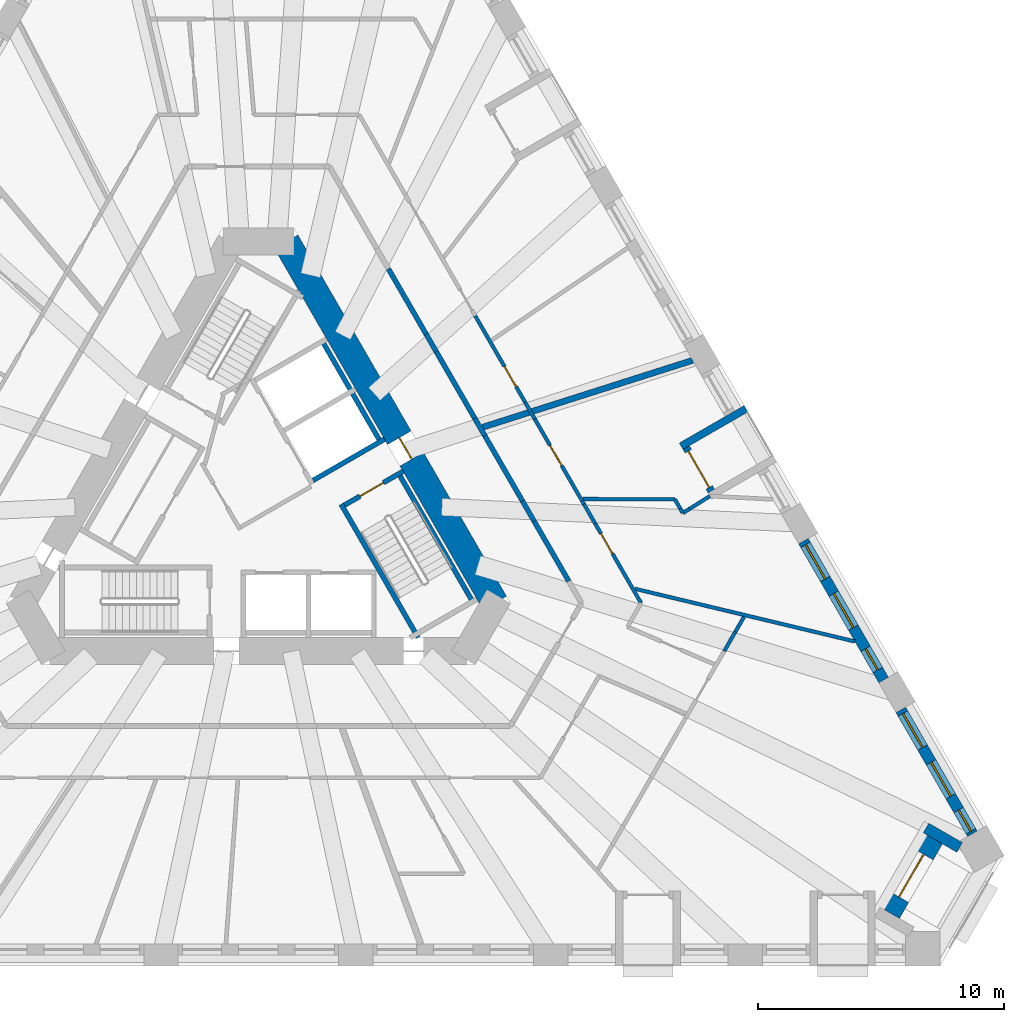
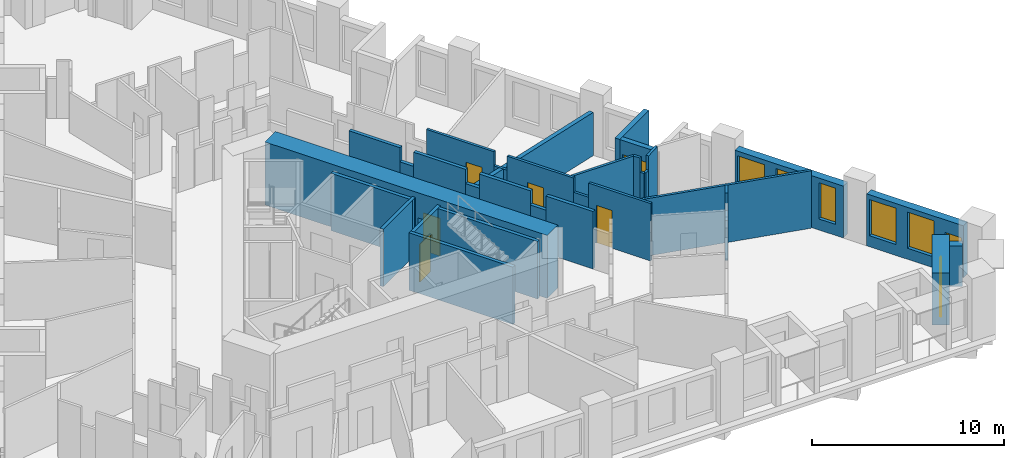
# One storey, part 7 of 14: 33 walls, 7 doors, 6 windows, 13 openings.
"""IFC4 building model written with IfcOpenShell, lengths in metres."""

from ifc_helpers import new_model, si_unit, direction, frame, frame_2d, origin, place, context, subcontext, project, spatial, rectangle, extrude, material, layer, layer_set, type_object, element, fill, save


model = new_model("IFC4")

# Units and contexts
model_context = context("Model", 3, precision=1e-05, world=origin(), true_north=direction((0.0, 1.0)))
body_context = subcontext(model_context, "Body", "Model", "MODEL_VIEW")
ifc_project = project(units=[si_unit("LENGTHUNIT", "METRE"), si_unit("AREAUNIT", "SQUARE_METRE"), si_unit("VOLUMEUNIT", "CUBIC_METRE"), si_unit("PLANEANGLEUNIT", "RADIAN"), si_unit("MASSUNIT", "GRAM", prefix="KILO")], contexts=[model_context])

# Site, building, storey
site_placement = place(None, origin())
site = spatial("IfcSite", under=ifc_project, at=site_placement, CompositionType="ELEMENT")
building_placement = place(site_placement, origin())
building = spatial("IfcBuilding", under=site, at=building_placement, Name="Tramontana Tower", CompositionType="ELEMENT")
storey_placement = place(building_placement, frame((0.0, 0.0, 42.0)))
storey = spatial("IfcBuildingStorey", under=building, at=storey_placement, Name="L08", CompositionType="ELEMENT", Elevation=42.0)

# Wall, opening, door
ifc_material_1 = material(Name="Concrete 70 MPa", Category="concrete")
ifc_layer_1 = layer(ifc_material_1, 1.10009765625)
ifc_layer_set_1 = layer_set([ifc_layer_1], Name="Core wall 1100 70 MPa")
wall_type_1 = type_object("IfcWallType", Name="Core wall 1100 70 MPa", PredefinedType="SHEAR", material=ifc_layer_set_1)
wall_1_placement = place(storey_placement, frame((9.61279296875, -4.25, 0.0), z_axis=(0.0, 0.0, 1.0), x_axis=(-0.500001757713, 0.866024388966, 0.0)))
wall_1 = element("IfcWall", 1, at=wall_1_placement, inside=storey, type_object=wall_type_1, Name="Core wall C5 L08", PredefinedType="SHEAR", context=body_context, shape_type="SweptSolid", body=[
    extrude(rectangle(XDim=16.97412109375, YDim=1.10009765625, at=frame_2d((8.487060546875, 0.0))), origin(), (0.0, 0.0, 1.0), 4.0),
])
opening_1_placement = place(wall_1_placement, frame((6.761962890625, 0.0, 0.0)))
opening_1 = element("IfcOpeningElement", 2, at=opening_1_placement, cuts=wall_1, Name="Opening RG3", PredefinedType="OPENING", context=body_context, shape_type="SweptSolid", body=[
    extrude(rectangle(XDim=1.0, YDim=2.39990234375, at=frame_2d((0.5, 1.199951171875))), frame((0.0, 0.56005859375, 0.0), z_axis=(0.0, -1.0, 0.0), x_axis=(1.0, 0.0, 0.0)), (0.0, 0.0, 1.0), 1.1201171875),
])
ifc_material_2 = material(Name="Painted steel", Category="steel")
door_type_1 = type_object("IfcDoorType", Name="RING DOOR 1000", OperationType="SINGLE_SWING_LEFT", PredefinedType="DOOR", material=ifc_material_2)
door_1_placement = place(opening_1_placement, origin())
door_1 = element("IfcDoor", 3, at=door_1_placement, inside=storey, type_object=door_type_1, Name="Door RG3", OperationType="SINGLE_SWING_RIGHT", OverallHeight=2.39990234375, OverallWidth=1.0, PredefinedType="DOOR", context=body_context, shape_type="SweptSolid", body=[
    extrude(rectangle(XDim=1.0, YDim=2.39990234375, at=frame_2d((0.5, 1.199951171875))), frame((0.0, 0.02490234375, 0.0), z_axis=(0.0, -1.0, 0.0), x_axis=(1.0, 0.0, 0.0)), (0.0, 0.0, 1.0), 0.050048828125),
])
fill(opening_1, door_1)

# Walls
ifc_material_3 = material(Name="Blockwork", Category="masonry")
ifc_layer_2 = layer(ifc_material_3, 0.199951171875)
ifc_layer_set_2 = layer_set([ifc_layer_2], Name="ENTRY WALL 200")
wall_type_2 = type_object("IfcWallType", Name="ENTRY WALL 200", PredefinedType="SOLIDWALL", material=ifc_layer_set_2)
wall_2_placement = place(storey_placement, frame((5.287109375, 9.3427734375, 0.0), z_axis=(0.0, 0.0, 1.0), x_axis=(0.499952348839, -0.866052913447, 0.0)))
element("IfcWall", 4, at=wall_2_placement, inside=storey, type_object=wall_type_2, Name="Wall v02-ew0-3", PredefinedType="SOLIDWALL", context=body_context, shape_type="SweptSolid", body=[
    extrude(rectangle(XDim=3.064208984375, YDim=0.199951171875, at=frame_2d((1.5322265625, 0.0))), origin(), (0.0, 0.0, 1.0), 3.64990234375),
])
wall_3_placement = place(storey_placement, frame((6.819091796875, 6.68896484375, 0.0), z_axis=(0.0, 0.0, 1.0), x_axis=(0.500118501653, -0.865956976012, 0.0)))
element("IfcWall", 5, at=wall_3_placement, inside=storey, type_object=wall_type_2, Name="Wall v02-ew0-4", PredefinedType="SOLIDWALL", context=body_context, shape_type="SweptSolid", body=[
    extrude(rectangle(XDim=0.818115234375, YDim=0.199951171875, at=frame_2d((0.4091796875, 0.0))), origin(), (0.0, 0.0, 1.0), 2.75),
])
wall_4_placement = place(storey_placement, frame((7.228271484375, 5.98046875, 0.0), z_axis=(0.0, 0.0, 1.0), x_axis=(0.499947505232, -0.866055709532, 0.0)))
element("IfcWall", 6, at=wall_4_placement, inside=storey, type_object=wall_type_2, Name="Wall v02-ew0-5", PredefinedType="SOLIDWALL", context=body_context, shape_type="SweptSolid", body=[
    extrude(rectangle(XDim=3.130126953125, YDim=0.199951171875, at=frame_2d((1.56494140625, 0.0))), origin(), (0.0, 0.0, 1.0), 3.64990234375),
])
wall_5_placement = place(storey_placement, frame((8.793212890625, 3.26953125, 0.0), z_axis=(0.0, 0.0, 1.0), x_axis=(0.500118501653, -0.865956976012, 0.0)))
element("IfcWall", 7, at=wall_5_placement, inside=storey, type_object=wall_type_2, Name="Wall v02-ew0-6", PredefinedType="SOLIDWALL", context=body_context, shape_type="SweptSolid", body=[
    extrude(rectangle(XDim=0.818115234375, YDim=0.199951171875, at=frame_2d((0.4091796875, 0.0))), origin(), (0.0, 0.0, 1.0), 2.75),
])
wall_6_placement = place(storey_placement, frame((9.202392578125, 2.56103515625, 0.0), z_axis=(0.0, 0.0, 1.0), x_axis=(0.499952348839, -0.866052913447, 0.0)))
element("IfcWall", 8, at=wall_6_placement, inside=storey, type_object=wall_type_2, Name="Wall v02-ew0-7", PredefinedType="SOLIDWALL", context=body_context, shape_type="SweptSolid", body=[
    extrude(rectangle(XDim=3.064208984375, YDim=0.199951171875, at=frame_2d((1.5322265625, 0.0))), origin(), (0.0, 0.0, 1.0), 3.64990234375),
])
wall_7_placement = place(storey_placement, frame((10.734375, -0.0927734375, 0.0), z_axis=(0.0, 0.0, 1.0), x_axis=(0.500174821557, -0.865924446982, 0.0)))
element("IfcWall", 9, at=wall_7_placement, inside=storey, type_object=wall_type_2, Name="Wall v02-ew0-8", PredefinedType="SOLIDWALL", context=body_context, shape_type="SweptSolid", body=[
    extrude(rectangle(XDim=0.949951171875, YDim=0.199951171875, at=frame_2d((0.47509765625, 0.0))), origin(), (0.0, 0.0, 1.0), 2.75),
])
wall_8_placement = place(storey_placement, frame((11.20947265625, -0.915283203125, 0.0), z_axis=(0.0, 0.0, 1.0), x_axis=(0.49993514545, -0.866062844338, 0.0)))
element("IfcWall", 10, at=wall_8_placement, inside=storey, type_object=wall_type_2, Name="Wall v02-ew0-9", PredefinedType="SOLIDWALL", context=body_context, shape_type="SweptSolid", body=[
    extrude(rectangle(XDim=2.815185546875, YDim=0.199951171875, at=frame_2d((1.40771484375, 0.0))), origin(), (0.0, 0.0, 1.0), 3.64990234375),
])

# Wall, openings, windows
ifc_material_4 = material(Name="Precast concrete 60 MPa", Category="concrete")
ifc_layer_3 = layer(ifc_material_4, 0.449951171875)
ifc_layer_set_3 = layer_set([ifc_layer_3], Name="Precast concrete 60 MPa, 450 mm")
wall_type_3 = type_object("IfcWallType", Name="EW1 Stone-faced precast wall 450", PredefinedType="SOLIDWALL", material=ifc_layer_set_3)
wall_9_placement = place(storey_placement, frame((29.0263671875, -13.625, 0.0), z_axis=(0.0, 0.0, 1.0), x_axis=(-0.500007002644, 0.866021360769, 0.0)))
wall_9 = element("IfcWall", 11, at=wall_9_placement, inside=storey, type_object=wall_type_3, Name="External wall L08 face 2 bay 1", PredefinedType="SOLIDWALL", context=body_context, shape_type="SweptSolid", body=[
    extrude(rectangle(XDim=5.81787109375, YDim=0.449951171875, at=frame_2d((2.908935546875, 0.0))), origin(), (0.0, 0.0, 1.0), 3.300048828125),
])
opening_2_placement = place(wall_9_placement, frame((0.11962890625, 0.0, 0.699951171875)))
opening_2 = element("IfcOpeningElement", 12, at=opening_2_placement, cuts=wall_9, Name="Opening N1L", PredefinedType="OPENING", context=body_context, shape_type="SweptSolid", body=[
    extrude(rectangle(XDim=1.0, YDim=1.800048828125, at=frame_2d((0.5, 0.89990234375))), frame((0.0, 0.23486328125, 0.0), z_axis=(0.0, -1.0, 0.0), x_axis=(1.0, 0.0, 0.0)), (0.0, 0.0, 1.0), 0.469970703125),
])
opening_3_placement = place(wall_9_placement, frame((1.759033203125, 0.0, 0.699951171875)))
opening_3 = element("IfcOpeningElement", 13, at=opening_3_placement, cuts=wall_9, Name="Opening M1", PredefinedType="OPENING", context=body_context, shape_type="SweptSolid", body=[
    extrude(rectangle(XDim=1.60009765625, YDim=2.300048828125, at=frame_2d((0.800048828125, 1.14990234375))), frame((0.0, 0.23486328125, 0.0), z_axis=(0.0, -1.0, 0.0), x_axis=(1.0, 0.0, 0.0)), (0.0, 0.0, 1.0), 0.469970703125),
])
opening_4_placement = place(wall_9_placement, frame((4.04833984375, 0.0, 0.699951171875)))
opening_4 = element("IfcOpeningElement", 14, at=opening_4_placement, cuts=wall_9, Name="Opening M1", PredefinedType="OPENING", context=body_context, shape_type="SweptSolid", body=[
    extrude(rectangle(XDim=1.60009765625, YDim=2.300048828125, at=frame_2d((0.800048828125, 1.14990234375))), frame((0.0, 0.23486328125, 0.0), z_axis=(0.0, -1.0, 0.0), x_axis=(1.0, 0.0, 0.0)), (0.0, 0.0, 1.0), 0.469970703125),
])
ifc_material_5 = material(Name="Aluminum frame, double glazing unit", Category="aluminium")
window_type_1 = type_object("IfcWindowType", Name="M1 Window 1.6 x 2.3", PartitioningType="SINGLE_PANEL", PredefinedType="WINDOW", material=ifc_material_5)
window_1_placement = place(opening_3_placement, origin())
window_1 = element("IfcWindow", 15, at=window_1_placement, inside=storey, type_object=window_type_1, Name="Window M1 L08 face 2 module 2", OverallHeight=2.300048828125, OverallWidth=1.60009765625, PartitioningType="SINGLE_PANEL", PredefinedType="WINDOW", context=body_context, shape_type="SweptSolid", body=[
    extrude(rectangle(XDim=1.60009765625, YDim=2.300048828125, at=frame_2d((0.800048828125, 1.14990234375))), frame((0.0, 0.030029296875, 0.0), z_axis=(0.0, -1.0, 0.0), x_axis=(1.0, 0.0, 0.0)), (0.0, 0.0, 1.0), 0.06005859375),
])
fill(opening_3, window_1)
window_2_placement = place(opening_4_placement, origin())
window_2 = element("IfcWindow", 16, at=window_2_placement, inside=storey, type_object=window_type_1, Name="Window M1 L08 face 2 module 3", OverallHeight=2.300048828125, OverallWidth=1.60009765625, PartitioningType="SINGLE_PANEL", PredefinedType="WINDOW", context=body_context, shape_type="SweptSolid", body=[
    extrude(rectangle(XDim=1.60009765625, YDim=2.300048828125, at=frame_2d((0.800048828125, 1.14990234375))), frame((0.0, 0.030029296875, 0.0), z_axis=(0.0, -1.0, 0.0), x_axis=(1.0, 0.0, 0.0)), (0.0, 0.0, 1.0), 0.06005859375),
])
fill(opening_4, window_2)
ifc_material_6 = material(Name="Aluminum frame, double glazing unit", Category="aluminium")
window_type_2 = type_object("IfcWindowType", Name="N1L Window 1 x 1.8", PartitioningType="SINGLE_PANEL", PredefinedType="WINDOW", material=ifc_material_6)
window_3_placement = place(opening_2_placement, origin())
window_3 = element("IfcWindow", 17, at=window_3_placement, inside=storey, type_object=window_type_2, Name="Window N1L L08 face 2 module 1", OverallHeight=1.800048828125, OverallWidth=1.0, PartitioningType="SINGLE_PANEL", PredefinedType="WINDOW", context=body_context, shape_type="SweptSolid", body=[
    extrude(rectangle(XDim=1.0, YDim=1.800048828125, at=frame_2d((0.5, 0.89990234375))), frame((0.0, 0.030029296875, 0.0), z_axis=(0.0, -1.0, 0.0), x_axis=(1.0, 0.0, 0.0)), (0.0, 0.0, 1.0), 0.06005859375),
])
fill(opening_2, window_3)

wall_10_placement = place(storey_placement, frame((25.417236328125, -7.3740234375, 0.0), z_axis=(0.0, 0.0, 1.0), x_axis=(-0.499990498062, 0.866030889661, 0.0)))
wall_10 = element("IfcWall", 18, at=wall_10_placement, inside=storey, type_object=wall_type_3, Name="External wall L08 face 2 bay 2", PredefinedType="SOLIDWALL", context=body_context, shape_type="SweptSolid", body=[
    extrude(rectangle(XDim=6.517822265625, YDim=0.449951171875, at=frame_2d((3.2587890625, 0.0))), origin(), (0.0, 0.0, 1.0), 3.300048828125),
])
opening_5_placement = place(wall_10_placement, frame((0.4697265625, 0.0, 0.699951171875)))
opening_5 = element("IfcOpeningElement", 19, at=opening_5_placement, cuts=wall_10, Name="Opening N1", PredefinedType="OPENING", context=body_context, shape_type="SweptSolid", body=[
    extrude(rectangle(XDim=1.0, YDim=2.300048828125, at=frame_2d((0.5, 1.14990234375))), frame((0.0, 0.23486328125, 0.0), z_axis=(0.0, -1.0, 0.0), x_axis=(1.0, 0.0, 0.0)), (0.0, 0.0, 1.0), 0.469970703125),
])
opening_6_placement = place(wall_10_placement, frame((2.458984375, 0.0, 0.699951171875)))
opening_6 = element("IfcOpeningElement", 20, at=opening_6_placement, cuts=wall_10, Name="Opening M1", PredefinedType="OPENING", context=body_context, shape_type="SweptSolid", body=[
    extrude(rectangle(XDim=1.60009765625, YDim=2.300048828125, at=frame_2d((0.800048828125, 1.14990234375))), frame((0.0, 0.23486328125, 0.0), z_axis=(0.0, -1.0, 0.0), x_axis=(1.0, 0.0, 0.0)), (0.0, 0.0, 1.0), 0.469970703125),
])
opening_7_placement = place(wall_10_placement, frame((4.748291015625, 0.0, 0.699951171875)))
opening_7 = element("IfcOpeningElement", 21, at=opening_7_placement, cuts=wall_10, Name="Opening M1", PredefinedType="OPENING", context=body_context, shape_type="SweptSolid", body=[
    extrude(rectangle(XDim=1.60009765625, YDim=2.300048828125, at=frame_2d((0.800048828125, 1.14990234375))), frame((0.0, 0.23486328125, 0.0), z_axis=(0.0, -1.0, 0.0), x_axis=(1.0, 0.0, 0.0)), (0.0, 0.0, 1.0), 0.469970703125),
])
window_4_placement = place(opening_6_placement, origin())
window_4 = element("IfcWindow", 22, at=window_4_placement, inside=storey, type_object=window_type_1, Name="Window M1 L08 face 2 module 5", OverallHeight=2.300048828125, OverallWidth=1.60009765625, PartitioningType="SINGLE_PANEL", PredefinedType="WINDOW", context=body_context, shape_type="SweptSolid", body=[
    extrude(rectangle(XDim=1.60009765625, YDim=2.300048828125, at=frame_2d((0.800048828125, 1.14990234375))), frame((0.0, 0.030029296875, 0.0), z_axis=(0.0, -1.0, 0.0), x_axis=(1.0, 0.0, 0.0)), (0.0, 0.0, 1.0), 0.06005859375),
])
fill(opening_6, window_4)
window_5_placement = place(opening_7_placement, origin())
window_5 = element("IfcWindow", 23, at=window_5_placement, inside=storey, type_object=window_type_1, Name="Window M1 L08 face 2 module 6", OverallHeight=2.300048828125, OverallWidth=1.60009765625, PartitioningType="SINGLE_PANEL", PredefinedType="WINDOW", context=body_context, shape_type="SweptSolid", body=[
    extrude(rectangle(XDim=1.60009765625, YDim=2.300048828125, at=frame_2d((0.800048828125, 1.14990234375))), frame((0.0, 0.030029296875, 0.0), z_axis=(0.0, -1.0, 0.0), x_axis=(1.0, 0.0, 0.0)), (0.0, 0.0, 1.0), 0.06005859375),
])
fill(opening_7, window_5)
ifc_material_7 = material(Name="Aluminum frame, double glazing unit", Category="aluminium")
window_type_3 = type_object("IfcWindowType", Name="N1 Window 1 x 2.3", PartitioningType="SINGLE_PANEL", PredefinedType="WINDOW", material=ifc_material_7)
window_6_placement = place(opening_5_placement, origin())
window_6 = element("IfcWindow", 24, at=window_6_placement, inside=storey, type_object=window_type_3, Name="Window N1 L08 face 2 module 4", OverallHeight=2.300048828125, OverallWidth=1.0, PartitioningType="SINGLE_PANEL", PredefinedType="WINDOW", context=body_context, shape_type="SweptSolid", body=[
    extrude(rectangle(XDim=1.0, YDim=2.300048828125, at=frame_2d((0.5, 1.14990234375))), frame((0.0, 0.030029296875, 0.0), z_axis=(0.0, -1.0, 0.0), x_axis=(1.0, 0.0, 0.0)), (0.0, 0.0, 1.0), 0.06005859375),
])
fill(opening_5, window_6)

# Wall
wall_11_placement = place(storey_placement, frame((28.509033203125, -14.17919921875, 0.0), z_axis=(0.0, 0.0, 1.0), x_axis=(-0.866046570609, 0.499963336192, 0.0)))
element("IfcWall", 25, at=wall_11_placement, inside=storey, type_object=wall_type_3, Name="Corner loggia side wall L08 K02l", PredefinedType="SOLIDWALL", context=body_context, shape_type="SweptSolid", body=[
    extrude(rectangle(XDim=1.5791015625, YDim=0.449951171875, at=frame_2d((0.78955078125, 0.0))), origin(), (0.0, 0.0, 1.0), 2.550048828125),
])

# Wall, opening, door
ifc_material_8 = material(Name="Precast concrete 60 MPa", Category="concrete")
ifc_layer_4 = layer(ifc_material_8, 0.89990234375)
ifc_layer_set_4 = layer_set([ifc_layer_4], Name="EW2 Stone-faced corner loggia wall 900")
wall_type_4 = type_object("IfcWallType", Name="EW2 Stone-faced corner loggia wall 900", PredefinedType="SOLIDWALL", material=ifc_layer_set_4)
wall_12_placement = place(storey_placement, frame((27.418701171875, -13.8095703125, 0.0), z_axis=(0.0, 0.0, 1.0), x_axis=(-0.500010275428, -0.866019471182, 0.0)))
wall_12 = element("IfcWall", 26, at=wall_12_placement, inside=storey, type_object=wall_type_4, Name="Corner loggia wall L08 K02", PredefinedType="SOLIDWALL", context=body_context, shape_type="SweptSolid", body=[
    extrude(rectangle(XDim=3.5, YDim=0.89990234375, at=frame_2d((1.75, 0.0))), origin(), (0.0, 0.0, 1.0), 3.300048828125),
])
opening_8_placement = place(wall_12_placement, frame((0.75, 0.0, 0.0)))
opening_8 = element("IfcOpeningElement", 27, at=opening_8_placement, cuts=wall_12, Name="Opening BD-02C", PredefinedType="OPENING", context=body_context, shape_type="SweptSolid", body=[
    extrude(rectangle(XDim=2.0, YDim=2.39990234375, at=frame_2d((1.0, 1.199951171875))), frame((0.0, 0.4599609375, 0.0), z_axis=(0.0, -1.0, 0.0), x_axis=(1.0, 0.0, 0.0)), (0.0, 0.0, 1.0), 0.919921875),
])
ifc_material_9 = material(Name="Aluminum frame, double glazing unit", Category="aluminium")
door_type_2 = type_object("IfcDoorType", Name="BC1 Sliding door 2 x 2.4", OperationType="SLIDING_TO_LEFT", PredefinedType="DOOR", material=ifc_material_9)
door_2_placement = place(opening_8_placement, origin())
door_2 = element("IfcDoor", 28, at=door_2_placement, inside=storey, type_object=door_type_2, Name="Corner loggia door L08 K02", OperationType="SLIDING_TO_LEFT", OverallHeight=2.39990234375, OverallWidth=2.0, PredefinedType="DOOR", context=body_context, shape_type="SweptSolid", body=[
    extrude(rectangle(XDim=2.0, YDim=2.39990234375, at=frame_2d((1.0, 1.199951171875))), frame((0.0, 0.02490234375, 0.0), z_axis=(0.0, -1.0, 0.0), x_axis=(1.0, 0.0, 0.0)), (0.0, 0.0, 1.0), 0.050048828125),
])
fill(opening_8, door_2)

ifc_material_10 = material(Name="Precast concrete 60 MPa", Category="concrete")
ifc_layer_5 = layer(ifc_material_10, 0.300048828125)
ifc_layer_set_5 = layer_set([ifc_layer_5], Name="LW1 Stone-faced loggia wall 300")
wall_type_5 = type_object("IfcWallType", Name="LW1 Stone-faced loggia wall 300", PredefinedType="SOLIDWALL", material=ifc_layer_set_5)
wall_13_placement = place(storey_placement, frame((18.411865234375, 0.309814453125, 0.0), z_axis=(0.0, 0.0, 1.0), x_axis=(-0.500040236659, 0.866002171892, 0.0)))
wall_13 = element("IfcWall", 29, at=wall_13_placement, inside=storey, type_object=wall_type_5, Name="Loggia wall L08 G0S2.7", PredefinedType="SOLIDWALL", context=body_context, shape_type="SweptSolid", body=[
    extrude(rectangle(XDim=2.039306640625, YDim=0.300048828125, at=frame_2d((1.01953125, 0.0))), origin(), (0.0, 0.0, 1.0), 3.300048828125),
])
opening_9_placement = place(wall_13_placement, frame((0.169677734375, 0.0, 0.0)))
opening_9 = element("IfcOpeningElement", 30, at=opening_9_placement, cuts=wall_13, Name="Opening BD-0S2-07", PredefinedType="OPENING", context=body_context, shape_type="SweptSolid", body=[
    extrude(rectangle(XDim=1.699951171875, YDim=2.39990234375, at=frame_2d((0.85009765625, 1.199951171875))), frame((0.0, 0.159912109375, 0.0), z_axis=(0.0, -1.0, 0.0), x_axis=(1.0, 0.0, 0.0)), (0.0, 0.0, 1.0), 0.320068359375),
])
ifc_material_11 = material(Name="Aluminum frame, double glazing unit", Category="aluminium")
door_type_3 = type_object("IfcDoorType", Name="BD1 Sliding door 1.7 x 2.4", OperationType="SLIDING_TO_LEFT", PredefinedType="DOOR", material=ifc_material_11)
door_3_placement = place(opening_9_placement, origin())
door_3 = element("IfcDoor", 31, at=door_3_placement, inside=storey, type_object=door_type_3, Name="Loggia door L08 G0S2.7", OperationType="SLIDING_TO_LEFT", OverallHeight=2.39990234375, OverallWidth=1.699951171875, PredefinedType="DOOR", context=body_context, shape_type="SweptSolid", body=[
    extrude(rectangle(XDim=1.699951171875, YDim=2.39990234375, at=frame_2d((0.85009765625, 1.199951171875))), frame((0.0, 0.02490234375, 0.0), z_axis=(0.0, -1.0, 0.0), x_axis=(1.0, 0.0, 0.0)), (0.0, 0.0, 1.0), 0.050048828125),
])
fill(opening_9, door_3)

# Wall
wall_14_placement = place(storey_placement, frame((19.82861328125, 3.65576171875, 0.0), z_axis=(0.0, 0.0, 1.0), x_axis=(-0.866037623948, -0.499978833458, 0.0)))
element("IfcWall", 32, at=wall_14_placement, inside=storey, type_object=wall_type_5, Name="Loggia return L08 G0S2.7b", PredefinedType="SOLIDWALL", context=body_context, shape_type="SweptSolid", body=[
    extrude(rectangle(XDim=3.050048828125, YDim=0.300048828125, at=frame_2d((1.52490234375, 0.0))), origin(), (0.0, 0.0, 1.0), 3.300048828125),
])

# Wall, opening, door
ifc_material_12 = material(Name="Gypsum board partition")
ifc_layer_6 = layer(ifc_material_12, 0.14990234375)
ifc_layer_set_6 = layer_set([ifc_layer_6], Name="PARTITION 150")
wall_type_6 = type_object("IfcWallType", Name="PARTITION 150", PredefinedType="PARTITIONING", material=ifc_layer_set_6)
wall_15_placement = place(storey_placement, frame((8.81640625, 7.4296875, 0.0), z_axis=(0.0, 0.0, 1.0), x_axis=(0.500007556608, -0.866021040931, 0.0)))
wall_15 = element("IfcWall", 33, at=wall_15_placement, inside=storey, type_object=wall_type_6, Name="Wall v02-pw31-4", PredefinedType="PARTITIONING", context=body_context, shape_type="SweptSolid", body=[
    extrude(rectangle(XDim=4.05224609375, YDim=0.14990234375, at=frame_2d((2.026123046875, 0.0))), origin(), (0.0, 0.0, 1.0), 3.64990234375),
])
opening_10_placement = place(wall_15_placement, frame((2.377197265625, 0.0, 0.0)))
opening_10 = element("IfcOpeningElement", 34, at=opening_10_placement, cuts=wall_15, Name="Opening B0C-06", PredefinedType="OPENING", context=body_context, shape_type="SweptSolid", body=[
    extrude(rectangle(XDim=0.949951171875, YDim=2.39990234375, at=frame_2d((0.47509765625, 1.199951171875))), frame((0.0, 0.0849609375, 0.0), z_axis=(0.0, -1.0, 0.0), x_axis=(1.0, 0.0, 0.0)), (0.0, 0.0, 1.0), 0.169921875),
])
ifc_material_13 = material(Name="Painted timber", Category="wood")
door_type_4 = type_object("IfcDoorType", Name="DOOR ROOM 950", OperationType="SINGLE_SWING_LEFT", PredefinedType="DOOR", material=ifc_material_13)
door_4_placement = place(opening_10_placement, origin())
door_4 = element("IfcDoor", 35, at=door_4_placement, inside=storey, type_object=door_type_4, Name="Door B0C-06", OperationType="SINGLE_SWING_RIGHT", OverallHeight=2.39990234375, OverallWidth=0.949951171875, PredefinedType="DOOR", context=body_context, shape_type="SweptSolid", body=[
    extrude(rectangle(XDim=0.949951171875, YDim=2.39990234375, at=frame_2d((0.47509765625, 1.199951171875))), frame((0.0, 0.02490234375, 0.0), z_axis=(0.0, -1.0, 0.0), x_axis=(1.0, 0.0, 0.0)), (0.0, 0.0, 1.0), 0.050048828125),
])
fill(opening_10, door_4)

# Wall
wall_16_placement = place(storey_placement, frame((10.842529296875, 3.92041015625, 0.0), z_axis=(0.0, 0.0, 1.0), x_axis=(0.500015802937, -0.866016279763, 0.0)))
element("IfcWall", 36, at=wall_16_placement, inside=storey, type_object=wall_type_6, Name="Wall v02-pw31-5", PredefinedType="PARTITIONING", context=body_context, shape_type="SweptSolid", body=[
    extrude(rectangle(XDim=0.79248046875, YDim=0.14990234375, at=frame_2d((0.396240234375, 0.0))), origin(), (0.0, 0.0, 1.0), 2.75),
])

# Wall, opening, door
wall_17_placement = place(storey_placement, frame((11.23876953125, 3.234130859375, 0.0), z_axis=(0.0, 0.0, 1.0), x_axis=(0.499983857782, -0.866034723298, 0.0)))
wall_17 = element("IfcWall", 37, at=wall_17_placement, inside=storey, type_object=wall_type_6, Name="Wall v02-pw31-6", PredefinedType="PARTITIONING", context=body_context, shape_type="SweptSolid", body=[
    extrude(rectangle(XDim=3.988525390625, YDim=0.14990234375, at=frame_2d((1.994140625, 0.0))), origin(), (0.0, 0.0, 1.0), 3.64990234375),
])
opening_11_placement = place(wall_17_placement, frame((1.23583984375, 0.0, 0.0)))
opening_11 = element("IfcOpeningElement", 38, at=opening_11_placement, cuts=wall_17, Name="Opening B0C-25", PredefinedType="OPENING", context=body_context, shape_type="SweptSolid", body=[
    extrude(rectangle(XDim=0.949951171875, YDim=2.39990234375, at=frame_2d((0.47509765625, 1.199951171875))), frame((0.0, 0.0849609375, 0.0), z_axis=(0.0, -1.0, 0.0), x_axis=(1.0, 0.0, 0.0)), (0.0, 0.0, 1.0), 0.169921875),
])
door_5_placement = place(opening_11_placement, origin())
door_5 = element("IfcDoor", 39, at=door_5_placement, inside=storey, type_object=door_type_4, Name="Door B0C-25", OperationType="SINGLE_SWING_LEFT", OverallHeight=2.39990234375, OverallWidth=0.949951171875, PredefinedType="DOOR", context=body_context, shape_type="SweptSolid", body=[
    extrude(rectangle(XDim=0.949951171875, YDim=2.39990234375, at=frame_2d((0.47509765625, 1.199951171875))), frame((0.0, 0.02490234375, 0.0), z_axis=(0.0, -1.0, 0.0), x_axis=(1.0, 0.0, 0.0)), (0.0, 0.0, 1.0), 0.050048828125),
])
fill(opening_11, door_5)

# Wall
wall_18_placement = place(storey_placement, frame((13.23291015625, -0.219970703125, 0.0), z_axis=(0.0, 0.0, 1.0), x_axis=(0.499906209203, -0.866079547155, 0.0)))
element("IfcWall", 40, at=wall_18_placement, inside=storey, type_object=wall_type_6, Name="Wall v02-pw31-7", PredefinedType="PARTITIONING", context=body_context, shape_type="SweptSolid", body=[
    extrude(rectangle(XDim=0.920166015625, YDim=0.14990234375, at=frame_2d((0.4599609375, 0.0))), origin(), (0.0, 0.0, 1.0), 2.75),
])

# Wall, opening, door
wall_19_placement = place(storey_placement, frame((13.69287109375, -1.016845703125, 0.0), z_axis=(0.0, 0.0, 1.0), x_axis=(0.500007375767, -0.866021145342, 0.0)))
wall_19 = element("IfcWall", 41, at=wall_19_placement, inside=storey, type_object=wall_type_6, Name="Wall v02-pw31-8", PredefinedType="PARTITIONING", context=body_context, shape_type="SweptSolid", body=[
    extrude(rectangle(XDim=3.7333984375, YDim=0.14990234375, at=frame_2d((1.86669921875, 0.0))), origin(), (0.0, 0.0, 1.0), 3.64990234375),
])
opening_12_placement = place(wall_19_placement, frame((0.464111328125, 0.0, 0.0)))
opening_12 = element("IfcOpeningElement", 42, at=opening_12_placement, cuts=wall_19, Name="Opening B0C-24", PredefinedType="OPENING", context=body_context, shape_type="SweptSolid", body=[
    extrude(rectangle(XDim=0.949951171875, YDim=2.39990234375, at=frame_2d((0.47509765625, 1.199951171875))), frame((0.0, 0.0849609375, 0.0), z_axis=(0.0, -1.0, 0.0), x_axis=(1.0, 0.0, 0.0)), (0.0, 0.0, 1.0), 0.169921875),
])
door_6_placement = place(opening_12_placement, origin())
door_6 = element("IfcDoor", 43, at=door_6_placement, inside=storey, type_object=door_type_4, Name="Door B0C-24", OperationType="SINGLE_SWING_RIGHT", OverallHeight=2.39990234375, OverallWidth=0.949951171875, PredefinedType="DOOR", context=body_context, shape_type="SweptSolid", body=[
    extrude(rectangle(XDim=0.949951171875, YDim=2.39990234375, at=frame_2d((0.47509765625, 1.199951171875))), frame((0.0, 0.02490234375, 0.0), z_axis=(0.0, -1.0, 0.0), x_axis=(1.0, 0.0, 0.0)), (0.0, 0.0, 1.0), 0.050048828125),
])
fill(opening_12, door_6)

# Walls
wall_20_placement = place(storey_placement, frame((13.202880859375, -0.017822265625, 0.0), z_axis=(0.0, 0.0, 1.0), x_axis=(0.999999053608, -0.001375784861, 0.0)))
element("IfcWall", 44, at=wall_20_placement, inside=storey, type_object=wall_type_6, Name="Wall v02-pw38", PredefinedType="PARTITIONING", context=body_context, shape_type="SweptSolid", body=[
    extrude(rectangle(XDim=3.7265625, YDim=0.14990234375, at=frame_2d((1.86328125, 0.0))), origin(), (0.0, 0.0, 1.0), 3.64990234375),
])
wall_21_placement = place(storey_placement, frame((15.308837890625, -3.66552734375, 0.0), z_axis=(0.0, 0.0, 1.0), x_axis=(0.97251005754, -0.232860876887, 0.0)))
element("IfcWall", 45, at=wall_21_placement, inside=storey, type_object=wall_type_6, Name="Wall v02-pw43", PredefinedType="PARTITIONING", context=body_context, shape_type="SweptSolid", body=[
    extrude(rectangle(XDim=9.197021484375, YDim=0.14990234375, at=frame_2d((4.5986328125, 0.0))), origin(), (0.0, 0.0, 1.0), 3.64990234375),
])
wall_22_placement = place(storey_placement, frame((16.929443359375, -0.02294921875, 0.0), z_axis=(0.0, 0.0, 1.0), x_axis=(0.500062521093, -0.865989304205, 0.0)))
element("IfcWall", 46, at=wall_22_placement, inside=storey, type_object=wall_type_6, Name="Wall v02-pw45-0", PredefinedType="PARTITIONING", context=body_context, shape_type="SweptSolid", body=[
    extrude(rectangle(XDim=0.43505859375, YDim=0.14990234375, at=frame_2d((0.217529296875, 0.0))), origin(), (0.0, 0.0, 1.0), 3.64990234375),
])
wall_23_placement = place(storey_placement, frame((17.14697265625, -0.399658203125, 0.0), z_axis=(0.0, 0.0, 1.0), x_axis=(0.499298623879, -0.866429964967, 0.0)))
element("IfcWall", 47, at=wall_23_placement, inside=storey, type_object=wall_type_6, Name="Wall v02-pw45-1", PredefinedType="PARTITIONING", context=body_context, shape_type="SweptSolid", body=[
    extrude(rectangle(XDim=0.216064453125, YDim=0.14990234375, at=frame_2d((0.10791015625, 0.0))), origin(), (0.0, 0.0, 1.0), 2.75),
])
wall_24_placement = place(storey_placement, frame((17.2578125, -0.587646484375, 0.0), z_axis=(0.0, 0.0, 1.0), x_axis=(0.846105293653, 0.533015789684, 0.0)))
element("IfcWall", 48, at=wall_24_placement, inside=storey, type_object=wall_type_6, Name="Wall v02-pw46-0", PredefinedType="PARTITIONING", context=body_context, shape_type="SweptSolid", body=[
    extrude(rectangle(XDim=0.31982421875, YDim=0.14990234375, at=frame_2d((0.159912109375, 0.0))), origin(), (0.0, 0.0, 1.0), 2.75),
])
wall_25_placement = place(storey_placement, frame((17.5283203125, -0.417236328125, 0.0), z_axis=(0.0, 0.0, 1.0), x_axis=(0.846003820578, 0.533176833299, 0.0)))
element("IfcWall", 49, at=wall_25_placement, inside=storey, type_object=wall_type_6, Name="Wall v02-pw46-1", PredefinedType="PARTITIONING", context=body_context, shape_type="SweptSolid", body=[
    extrude(rectangle(XDim=0.9794921875, YDim=0.14990234375, at=frame_2d((0.48974609375, 0.0))), origin(), (0.0, 0.0, 1.0), 3.64990234375),
])
wall_26_placement = place(storey_placement, frame((19.742919921875, -4.804443359375, 0.0), z_axis=(0.0, 0.0, 1.0), x_axis=(-0.500248917644, -0.865881643411, 0.0)))
element("IfcWall", 50, at=wall_26_placement, inside=storey, type_object=wall_type_6, Name="Wall v02-pw50-0", PredefinedType="PARTITIONING", context=body_context, shape_type="SweptSolid", body=[
    extrude(rectangle(XDim=0.709228515625, YDim=0.14990234375, at=frame_2d((0.3544921875, 0.0))), origin(), (0.0, 0.0, 1.0), 3.64990234375),
])
wall_27_placement = place(storey_placement, frame((19.38818359375, -5.41845703125, 0.0), z_axis=(0.0, 0.0, 1.0), x_axis=(-0.499996880198, -0.866027204995, 0.0)))
element("IfcWall", 51, at=wall_27_placement, inside=storey, type_object=wall_type_6, Name="Wall v02-pw50-1", PredefinedType="PARTITIONING", context=body_context, shape_type="SweptSolid", body=[
    extrude(rectangle(XDim=0.8984375, YDim=0.14990234375, at=frame_2d((0.44921875, 0.0))), origin(), (0.0, 0.0, 1.0), 2.550048828125),
])
ifc_material_14 = material(Name="Blockwork", Category="masonry")
ifc_layer_7 = layer(ifc_material_14, 0.25)
ifc_layer_set_7 = layer_set([ifc_layer_7], Name="PARTY WALL 250")
wall_type_7 = type_object("IfcWallType", Name="PARTY WALL 250", PredefinedType="SOLIDWALL", material=ifc_layer_set_7)
wall_28_placement = place(storey_placement, frame((17.654541015625, 5.621337890625, 0.0), z_axis=(0.0, 0.0, 1.0), x_axis=(-0.952862755564, -0.303401662915, 0.0)))
element("IfcWall", 52, at=wall_28_placement, inside=storey, type_object=wall_type_7, Name="Wall v02-pw48-0", PredefinedType="SOLIDWALL", context=body_context, shape_type="SweptSolid", body=[
    extrude(rectangle(XDim=8.956787109375, YDim=0.25, at=frame_2d((4.478515625, 0.0))), origin(), (0.0, 0.0, 1.0), 2.75),
])
ifc_material_15 = material(Name="Concrete 70 MPa", Category="concrete")
ifc_layer_8 = layer(ifc_material_15, 0.199951171875)
ifc_layer_set_8 = layer_set([ifc_layer_8], Name="Concrete 70 MPa, 200 mm")
wall_type_8 = type_object("IfcWallType", Name="RC SHAFT BACK WALL 200", PredefinedType="SOLIDWALL", material=ifc_layer_set_8)
wall_29_placement = place(storey_placement, frame((8.759765625, -4.2724609375, 0.0), z_axis=(0.0, 0.0, 1.0), x_axis=(-0.49998037582, 0.866036733513, 0.0)))
element("IfcWall", 53, at=wall_29_placement, inside=storey, type_object=wall_type_8, Name="Wall st3-back", PredefinedType="SOLIDWALL", context=body_context, shape_type="SweptSolid", body=[
    extrude(rectangle(XDim=6.199951171875, YDim=0.199951171875, at=frame_2d((3.10009765625, 0.0))), origin(), (0.0, 0.0, 1.0), 3.64990234375),
])
wall_30_placement = place(storey_placement, frame((5.0048828125, 2.2314453125, 0.0), z_axis=(0.0, 0.0, 1.0), x_axis=(-0.500002801628, 0.866023786258, 0.0)))
element("IfcWall", 54, at=wall_30_placement, inside=storey, type_object=wall_type_8, Name="Wall row2-back", PredefinedType="SOLIDWALL", context=body_context, shape_type="SweptSolid", body=[
    extrude(rectangle(XDim=4.89990234375, YDim=0.199951171875, at=frame_2d((2.449951171875, 0.0))), origin(), (0.0, 0.0, 1.0), 3.64990234375),
])
ifc_material_16 = material(Name="Concrete 70 MPa", Category="concrete")
ifc_layer_9 = layer(ifc_material_16, 0.199951171875)
ifc_layer_set_9 = layer_set([ifc_layer_9], Name="Concrete 70 MPa, 200 mm")
wall_type_9 = type_object("IfcWallType", Name="RC STAIR AND SHAFT WALL 200", PredefinedType="SOLIDWALL", material=ifc_layer_set_9)
wall_31_placement = place(storey_placement, frame((6.4951171875, -5.64990234375, 0.0), z_axis=(0.0, 0.0, 1.0), x_axis=(-0.499976754523, 0.866038824151, 0.0)))
element("IfcWall", 55, at=wall_31_placement, inside=storey, type_object=wall_type_9, Name="Wall st3-front", PredefinedType="SOLIDWALL", context=body_context, shape_type="SweptSolid", body=[
    extrude(rectangle(XDim=6.260498046875, YDim=0.199951171875, at=frame_2d((3.13037109375, 0.0))), origin(), (0.0, 0.0, 1.0), 3.64990234375),
])

# Wall, opening, door
wall_32_placement = place(storey_placement, frame((3.50146484375, -0.2646484375, 0.0), z_axis=(0.0, 0.0, 1.0), x_axis=(0.866027397988, 0.499996545922, 0.0)))
wall_32 = element("IfcWall", 56, at=wall_32_placement, inside=storey, type_object=wall_type_9, Name="Wall st3-near", PredefinedType="SOLIDWALL", context=body_context, shape_type="SweptSolid", body=[
    extrude(rectangle(XDim=2.75, YDim=0.199951171875, at=frame_2d((1.375, 0.0))), origin(), (0.0, 0.0, 1.0), 3.64990234375),
])
opening_13_placement = place(wall_32_placement, frame((0.72509765625, 0.0, 0.0)))
opening_13 = element("IfcOpeningElement", 57, at=opening_13_placement, cuts=wall_32, Name="Opening SD3", PredefinedType="OPENING", context=body_context, shape_type="SweptSolid", body=[
    extrude(rectangle(XDim=1.10009765625, YDim=2.39990234375, at=frame_2d((0.550048828125, 1.199951171875))), frame((0.0, 0.10986328125, 0.0), z_axis=(0.0, -1.0, 0.0), x_axis=(1.0, 0.0, 0.0)), (0.0, 0.0, 1.0), 0.219970703125),
])
ifc_material_17 = material(Name="Painted steel", Category="steel")
door_type_5 = type_object("IfcDoorType", Name="STAIR DOOR 1100", OperationType="SINGLE_SWING_LEFT", PredefinedType="DOOR", material=ifc_material_17)
door_7_placement = place(opening_13_placement, origin())
door_7 = element("IfcDoor", 58, at=door_7_placement, inside=storey, type_object=door_type_5, Name="Door SD3", OperationType="SINGLE_SWING_RIGHT", OverallHeight=2.39990234375, OverallWidth=1.10009765625, PredefinedType="DOOR", context=body_context, shape_type="SweptSolid", body=[
    extrude(rectangle(XDim=1.10009765625, YDim=2.39990234375, at=frame_2d((0.550048828125, 1.199951171875))), frame((0.0, 0.02490234375, 0.0), z_axis=(0.0, -1.0, 0.0), x_axis=(1.0, 0.0, 0.0)), (0.0, 0.0, 1.0), 0.050048828125),
])
fill(opening_13, door_7)

# Wall
wall_33_placement = place(storey_placement, frame((2.226806640625, 0.742919921875, 0.0), z_axis=(0.0, 0.0, 1.0), x_axis=(0.866014461049, 0.500018952895, 0.0)))
element("IfcWall", 59, at=wall_33_placement, inside=storey, type_object=wall_type_9, Name="Wall row2-side0", PredefinedType="SOLIDWALL", context=body_context, shape_type="SweptSolid", body=[
    extrude(rectangle(XDim=3.349853515625, YDim=0.199951171875, at=frame_2d((1.6748046875, 0.0))), origin(), (0.0, 0.0, 1.0), 3.64990234375),
])

save(model, "model.ifc")
